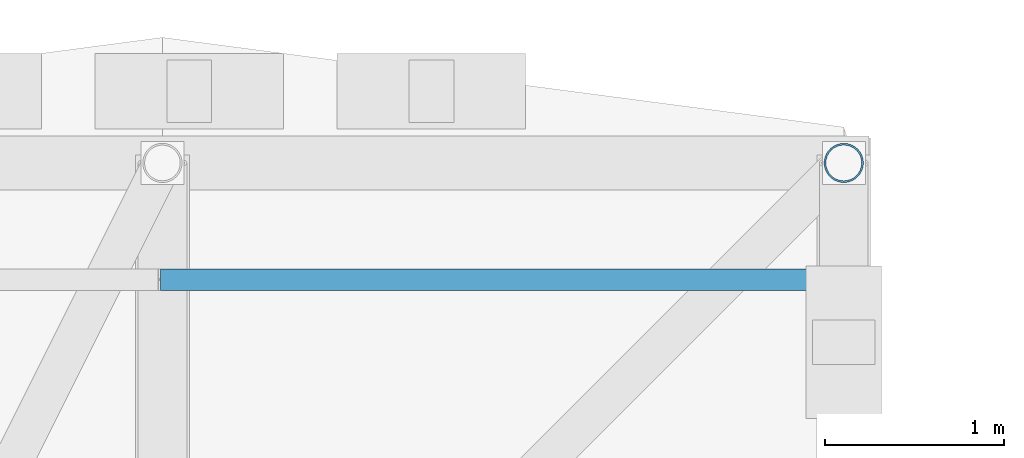
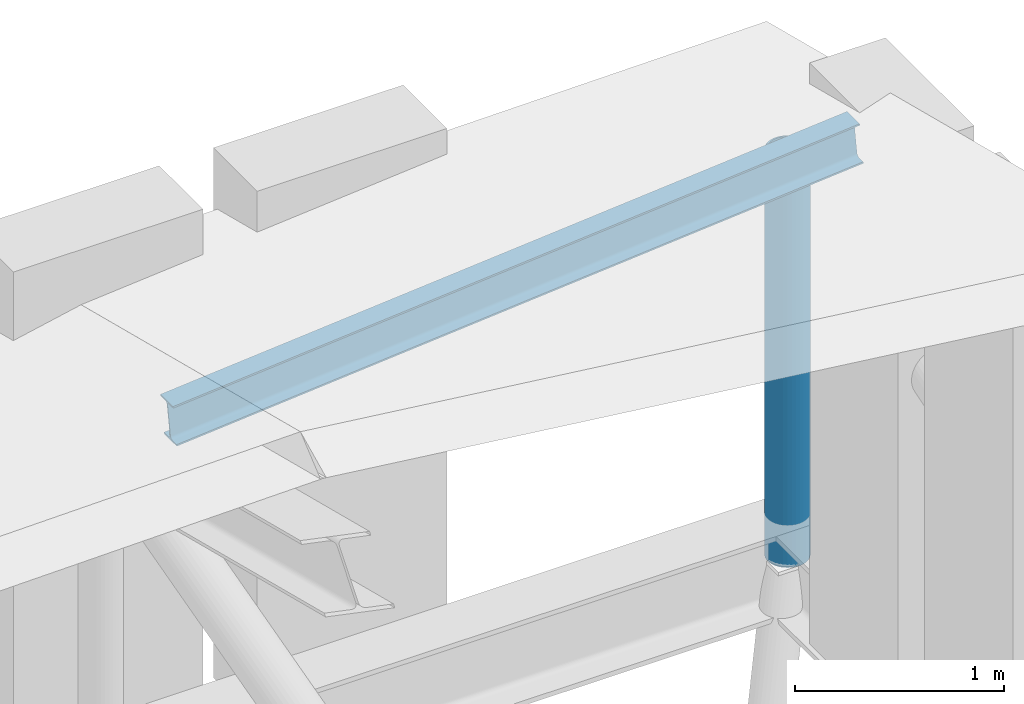
# One storey, part 26 of 42: 2 members.
"""IFC4 building model written with IfcOpenShell, lengths in metres."""

from ifc_helpers import new_model, si_unit, direction, frame, origin, origin_2d, place, context, subcontext, project, spatial, hollow_circle, i_section, extrude, material, material_profile, profile_set, type_object, element, save


model = new_model("IFC4")

# Units and contexts
model_context = context("Model", 3, precision=1e-05, world=origin(), true_north=direction((0.0, 1.0)))
body_context = subcontext(model_context, "Body", "Model", "MODEL_VIEW")
ifc_project = project(units=[si_unit("LENGTHUNIT", "METRE"), si_unit("AREAUNIT", "SQUARE_METRE"), si_unit("VOLUMEUNIT", "CUBIC_METRE"), si_unit("PLANEANGLEUNIT", "RADIAN"), si_unit("MASSUNIT", "GRAM", prefix="KILO")], contexts=[model_context])

# Site, building, storey
site_placement = place(None, origin())
site = spatial("IfcSite", under=ifc_project, at=site_placement, CompositionType="ELEMENT")
building_placement = place(site_placement, origin())
building = spatial("IfcBuilding", under=site, at=building_placement, Name="Bozkorgan Art Gallery", CompositionType="ELEMENT")
storey_placement = place(building_placement, frame((0.0, 0.0, 28.800048828125)))
storey = spatial("IfcBuildingStorey", under=building, at=storey_placement, Name="RF", CompositionType="ELEMENT", Elevation=28.800048828125)

# Members
ifc_material = material(Name="Steel S355J2", Category="steel")
ifc_material_profile_1 = material_profile(ifc_material, hollow_circle(Radius=0.109619140625, WallThickness=0.010009765625, at=origin_2d()), Name="CHS 219.1x10")
ifc_profile_set_1 = profile_set([ifc_material_profile_1], Name="Steel S355J2")
member_type_1 = type_object("IfcMemberType", Name="MEMBER-PO-77", PredefinedType="POST", material=ifc_profile_set_1)
member_1_placement = place(storey_placement, frame((72.60009765625, 27.60009765625, 0.25), z_axis=(0.0, 0.0, 1.0), x_axis=(1.0, 0.0, 0.0)))
element("IfcMember", 1, at=member_1_placement, inside=storey, type_object=member_type_1, Name="ROOF-V1-MAIN roof truss 10 post 5", PredefinedType="POST", context=body_context, shape_type="SweptSolid", body=[
    extrude(hollow_circle(Radius=0.109619140625, WallThickness=0.010009765625, at=origin_2d()), origin(), (0.0, 0.0, 1.0), 2.376708984375),
])
ifc_material_profile_2 = material_profile(ifc_material, i_section(OverallWidth=0.1201171875, OverallDepth=0.239990234375, WebThickness=0.006103515625, FlangeThickness=0.009765625, FilletRadius=0.014892578125, at=origin_2d()), Name="IPE 240")
ifc_profile_set_2 = profile_set([ifc_material_profile_2], Name="Steel S355J2")
member_type_2 = type_object("IfcMemberType", Name="MEMBER-PR-34", PredefinedType="PURLIN", material=ifc_profile_set_2)
member_2_placement = place(storey_placement, frame((68.800048828125, 26.949951171875, 2.761474609375), z_axis=(0.996369179776, 0.0, 0.085137874019), x_axis=(0.0, 1.0, 0.0)))
element("IfcMember", 2, at=member_2_placement, inside=storey, type_object=member_type_2, Name="ROOF-V1-MAIN north eave purlin 9", PredefinedType="PURLIN", context=body_context, shape_type="SweptSolid", body=[
    extrude(i_section(OverallWidth=0.1201171875, OverallDepth=0.239990234375, WebThickness=0.006103515625, FlangeThickness=0.009765625, FilletRadius=0.014892578125, at=origin_2d()), origin(), (0.0, 0.0, 1.0), 3.81396484375),
])

save(model, "model.ifc")
